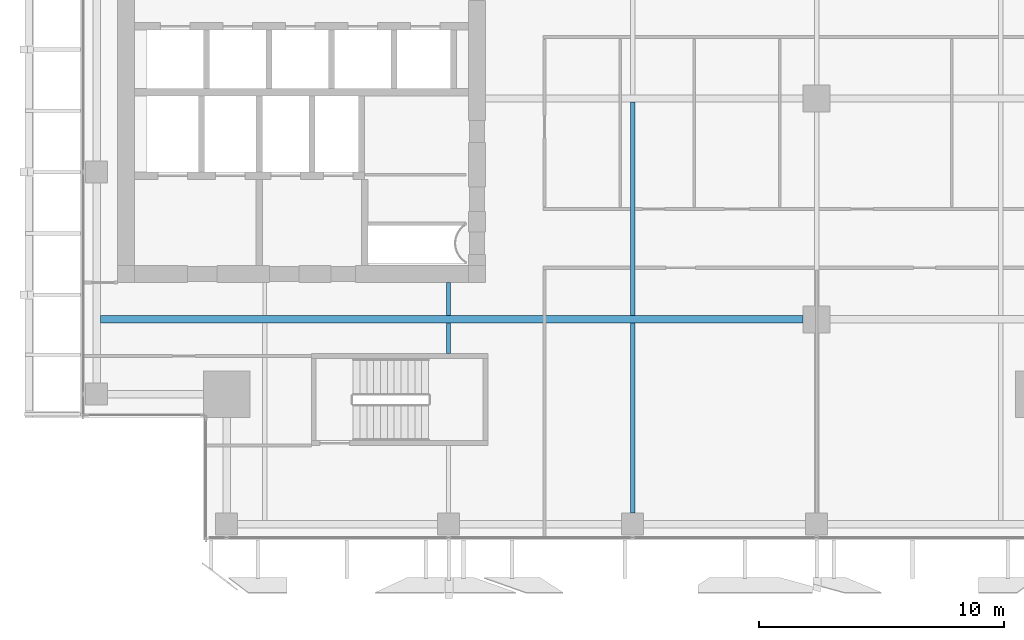
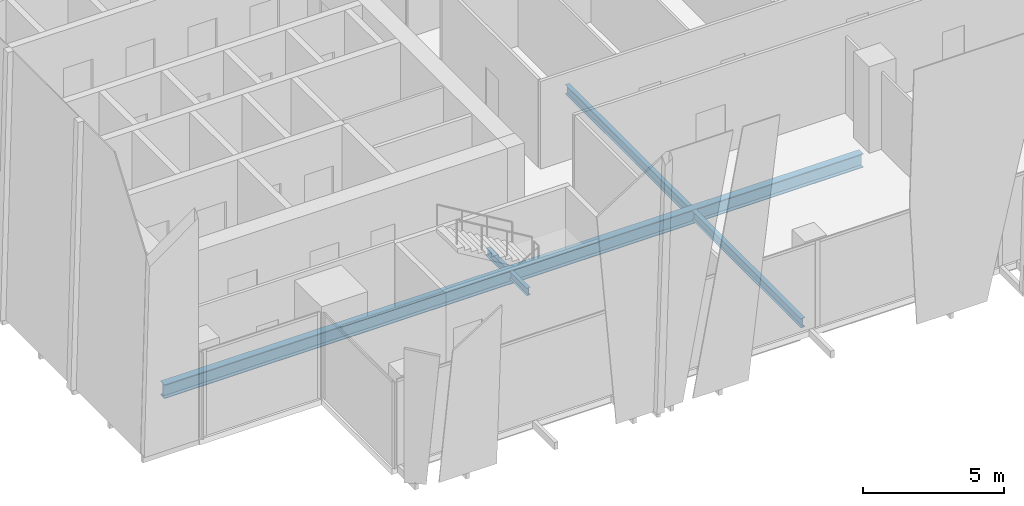
# One storey, part 5 of 33: 5 beams.
"""IFC4 building model written with IfcOpenShell, lengths in metres."""

import ifcopenshell
import ifcopenshell.guid

model = None  # the IFC model being written
_history = None  # IfcOwnerHistory: only IFC2X3 demands one
_inside = {}  # id of a spatial element -> (the spatial element, [elements in it])
_under = {}  # id of a project, library or spatial element -> (it, [spatial elements below it])
_declared = {}  # id of a project -> (the project, [libraries it declares])
_typed = {}  # id of a type object -> (the type object, [elements of that type])
_made_of = {}  # id of a material, layer set ... -> (it, [elements and type objects made of it])


def new_model(schema):
    """Start an empty IFC model of exactly this schema.

    Asked for "IFC4X3", IfcOpenShell would pick the latest addendum, in which some entities
    have other attributes; the version numbers below select the first issue.
    IFC2X3 requires an IfcOwnerHistory on every rooted entity: one is made here for all.
    """
    global model, _history
    if schema == "IFC4X3":
        model = ifcopenshell.file(schema_version=(4, 3, 0, 0))
    else:
        model = ifcopenshell.file(schema=schema)
    _inside.clear()
    _under.clear()
    _declared.clear()
    _typed.clear()
    _made_of.clear()
    _history = None
    if model.schema == "IFC2X3":
        org = make("IfcOrganization", Name="unknown")
        user = make(
            "IfcPersonAndOrganization",
            ThePerson=make("IfcPerson", FamilyName="unknown"),
            TheOrganization=org,
        )
        app = make(
            "IfcApplication",
            ApplicationDeveloper=org,
            Version="unknown",
            ApplicationFullName="unknown",
            ApplicationIdentifier="unknown",
        )
        _history = make(
            "IfcOwnerHistory",
            OwningUser=user,
            OwningApplication=app,
            ChangeAction="ADDED",
            CreationDate=0,
        )
    return model


def make(cls, **values):
    """One entity of the class cls with the attributes given. An attribute that is None is left unset."""
    return model.create_entity(
        cls, **{name: value for name, value in values.items() if value is not None}
    )


def rooted(cls, **values):
    """An entity with a GlobalId (a new one), such as an element, a storey or a relation."""
    return make(cls, GlobalId=ifcopenshell.guid.new(), OwnerHistory=_history, **values)


def si_unit(unit_type, name, prefix=None):
    """IfcSIUnit, for example si_unit("LENGTHUNIT", "METRE", prefix="MILLI")."""
    return make("IfcSIUnit", UnitType=unit_type, Prefix=prefix, Name=name)


def assignment(units):
    """IfcUnitAssignment: the units of a project."""
    return None if units is None else make("IfcUnitAssignment", Units=units)


def point(xyz):
    """IfcCartesianPoint."""
    return None if xyz is None else make("IfcCartesianPoint", Coordinates=xyz)


def direction(xyz):
    """IfcDirection."""
    return None if xyz is None else make("IfcDirection", DirectionRatios=xyz)


def frame(location, z_axis=None, x_axis=None):
    """IfcAxis2Placement3D, a coordinate frame: its origin and axes. An axis left out is left unset."""
    return make(
        "IfcAxis2Placement3D",
        Location=point(location),
        Axis=direction(z_axis),
        RefDirection=direction(x_axis),
    )


def frame_2d(location, x_axis=None):
    """IfcAxis2Placement2D, a coordinate frame in the plane: its origin and x axis."""
    return make(
        "IfcAxis2Placement2D", Location=point(location), RefDirection=direction(x_axis)
    )


def origin():
    """The frame at (0, 0, 0) with its axes left unset."""
    return frame((0.0, 0.0, 0.0))


def origin_2d():
    """The frame at (0, 0) in the plane with its x axis left unset."""
    return frame_2d((0.0, 0.0))


def place(relative_to, where):
    """IfcLocalPlacement: puts the frame where relative to a parent placement (None: the world)."""
    return make(
        "IfcLocalPlacement", PlacementRelTo=relative_to, RelativePlacement=where
    )


def context(
    kind, dimensions, precision=None, world=None, true_north=None, identifier=None
):
    """IfcGeometricRepresentationContext, for example the 3D "Model" context."""
    return make(
        "IfcGeometricRepresentationContext",
        ContextIdentifier=identifier,
        ContextType=kind,
        CoordinateSpaceDimension=dimensions,
        Precision=precision,
        WorldCoordinateSystem=world,
        TrueNorth=true_north,
    )


def subcontext(parent, identifier, kind, view, scale=None):
    """IfcGeometricRepresentationSubContext, for example "Body" below "Model"."""
    return make(
        "IfcGeometricRepresentationSubContext",
        ContextIdentifier=identifier,
        ContextType=kind,
        ParentContext=parent,
        TargetScale=scale,
        TargetView=view,
    )


def project(units=None, contexts=None):
    """IfcProject with its units and contexts."""
    return rooted(
        "IfcProject",
        Name="project",
        RepresentationContexts=contexts,
        UnitsInContext=assignment(units),
    )


def spatial(cls, under=None, at=None, **own):
    """A site, building, storey or space (cls), placed at a placement, below another one or the project."""
    s = rooted(cls, ObjectPlacement=at, **own)
    if under is not None:
        _under.setdefault(under.id(), (under, []))[1].append(s)
    return s


def profile(cls, at=None, kind="AREA", **sizes):
    """A parametric profile (cls). Its sizes go by their IFC names, for example OverallWidth=200.0."""
    return make(cls, ProfileType=kind, Position=at, **sizes)


def i_section(**sizes):
    """IfcIShapeProfileDef."""
    return profile("IfcIShapeProfileDef", **sizes)


def extrude(swept, where, along, depth):
    """IfcExtrudedAreaSolid: the profile swept, set in the frame where, extruded along a direction by depth."""
    return make(
        "IfcExtrudedAreaSolid",
        SweptArea=swept,
        Position=where,
        ExtrudedDirection=direction(along),
        Depth=depth,
    )


def shape(context_of_items, identifier, shape_type, items):
    """IfcShapeRepresentation: the items that make up one representation, for example the "Body"."""
    return make(
        "IfcShapeRepresentation",
        ContextOfItems=context_of_items,
        RepresentationIdentifier=identifier,
        RepresentationType=shape_type,
        Items=items,
    )


def source(mapping_origin, context_of_items, identifier, shape_type, items):
    """IfcRepresentationMap: a shape defined once, which mapped items show again and again."""
    return make(
        "IfcRepresentationMap",
        MappingOrigin=mapping_origin,
        MappedRepresentation=shape(context_of_items, identifier, shape_type, items),
    )


def transform(
    local_origin,
    x_axis=None,
    y_axis=None,
    z_axis=None,
    scale=None,
    scale2=None,
    scale3=None,
    uniform=True,
):
    """IfcCartesianTransformationOperator3D, or its non-uniform kind. x_axis, y_axis, z_axis: its Axis1, 2, 3."""
    if uniform:
        return make(
            "IfcCartesianTransformationOperator3D",
            Axis1=direction(x_axis),
            Axis2=direction(y_axis),
            LocalOrigin=point(local_origin),
            Scale=scale,
            Axis3=direction(z_axis),
        )
    return make(
        "IfcCartesianTransformationOperator3DnonUniform",
        Axis1=direction(x_axis),
        Axis2=direction(y_axis),
        LocalOrigin=point(local_origin),
        Scale=scale,
        Axis3=direction(z_axis),
        Scale2=scale2,
        Scale3=scale3,
    )


def mapped(mapping_source, mapping_target):
    """IfcMappedItem: shows the shape of a source again, moved by a transform."""
    return make(
        "IfcMappedItem", MappingSource=mapping_source, MappingTarget=mapping_target
    )


def material(Name=None, Category=None):
    """IfcMaterial."""
    return make("IfcMaterial", Name=Name, Category=Category)


def material_profile(
    of_material, cross_section, Name=None, Category=None, Priority=None
):
    """IfcMaterialProfile: a cross section and its material."""
    return make(
        "IfcMaterialProfile",
        Name=Name,
        Material=of_material,
        Profile=cross_section,
        Priority=Priority,
        Category=Category,
    )


def profile_set(profiles, Name=None, composite=None):
    """IfcMaterialProfileSet."""
    return make(
        "IfcMaterialProfileSet",
        Name=Name,
        MaterialProfiles=profiles,
        CompositeProfile=composite,
    )


def made_of(thing, what):
    """Note that an element or type object is made of a material, layer set ...; save() writes the relation."""
    if what is not None:
        _made_of.setdefault(what.id(), (what, []))[1].append(thing)
    return thing


def type_object(cls, material=None, **own):
    """A type object (cls), such as IfcWallType, which elements share."""
    return made_of(rooted(cls, **own), material)


def element(
    cls,
    number,
    at=None,
    inside=None,
    cuts=None,
    type_object=None,
    material=None,
    context=None,
    identifier="Body",
    shape_type=None,
    held_by="IfcProductDefinitionShape",
    body=None,
    shapes=None,
    **own,
):
    """One element of the class cls, such as IfcWall. Its Tag is "e" and its number.

    at: its placement. inside: the storey or other place that contains it. cuts: it is an
    opening in that element (IfcRelVoidsElement). A single representation is given by context,
    identifier, shape_type and body (its items); several are given by shapes. held_by: the class
    of the entity that holds the representations. save() writes the other relations.
    """
    e = rooted(cls, Tag="e%d" % number, ObjectPlacement=at, **own)
    if body is not None:
        shapes = [shape(context, identifier, shape_type, body)]
    if shapes is not None:
        e.Representation = make(held_by, Representations=shapes)
    if inside is not None:
        _inside.setdefault(inside.id(), (inside, []))[1].append(e)
    if cuts is not None:
        rooted(
            "IfcRelVoidsElement", RelatingBuildingElement=cuts, RelatedOpeningElement=e
        )
    if type_object is not None:
        _typed.setdefault(type_object.id(), (type_object, []))[1].append(e)
    return made_of(e, material)


def aggregate(whole, parts):
    """IfcRelAggregates: a whole, such as a stair, and the parts it consists of."""
    return rooted("IfcRelAggregates", RelatingObject=whole, RelatedObjects=parts)


def save(model, path):
    """Write the relations noted so far, then the file.

    IfcRelAggregates (storeys below a building ...), IfcRelContainedInSpatialStructure (elements
    in a storey), IfcRelDefinesByType, IfcRelAssociatesMaterial and IfcRelDeclares: one each for
    every whole, place, type object, material and project.
    """
    for whole, parts in _under.values():
        aggregate(whole, parts)
    for where, things in _inside.values():
        rooted(
            "IfcRelContainedInSpatialStructure",
            RelatedElements=things,
            RelatingStructure=where,
        )
    for kind, things in _typed.values():
        rooted("IfcRelDefinesByType", RelatedObjects=things, RelatingType=kind)
    for what, things in _made_of.values():
        rooted("IfcRelAssociatesMaterial", RelatedObjects=things, RelatingMaterial=what)
    for by, libraries in _declared.values():
        rooted("IfcRelDeclares", RelatingContext=by, RelatedDefinitions=libraries)
    model.write(path)


model = new_model("IFC4")

# Units and contexts
model_context = context("Model", 3, precision=1e-05, world=origin(), true_north=direction((0.0, 1.0)))
body_context = subcontext(model_context, "Body", "Model", "MODEL_VIEW")
ifc_project = project(units=[si_unit("LENGTHUNIT", "METRE"), si_unit("AREAUNIT", "SQUARE_METRE"), si_unit("VOLUMEUNIT", "CUBIC_METRE"), si_unit("PLANEANGLEUNIT", "RADIAN"), si_unit("MASSUNIT", "GRAM", prefix="KILO")], contexts=[model_context])

# Site, building, storey
site_placement = place(None, origin())
site = spatial("IfcSite", under=ifc_project, at=site_placement, CompositionType="ELEMENT")
building_placement = place(site_placement, origin())
building = spatial("IfcBuilding", under=site, at=building_placement, Name="Khomas Fold Tower", CompositionType="ELEMENT")
storey_placement = place(building_placement, frame((0.0, 0.0, 234.199951171875)))
storey = spatial("IfcBuildingStorey", under=building, at=storey_placement, Name="L52", CompositionType="ELEMENT", Elevation=234.199951171875)

# Beams
ifc_material_1 = material(Name="Steel S355", Category="steel")
ifc_material_profile_1 = material_profile(ifc_material_1, i_section(OverallWidth=0.179931640625, OverallDepth=0.39990234375, WebThickness=0.008544921875, FlangeThickness=0.013427734375, at=origin_2d()), Name="IPE 400")
ifc_profile_set_1 = profile_set([ifc_material_profile_1], Name="Steel S355")
beam_type_1 = type_object("IfcBeamType", Name="IPE 400 beam JB3", PredefinedType="BEAM", material=ifc_profile_set_1)
shared_shape_1 = source(origin(), body_context, "Body", "SweptSolid", [
    extrude(i_section(OverallWidth=0.179931640625, OverallDepth=0.39990234375, WebThickness=0.008544921875, FlangeThickness=0.013427734375, at=origin_2d()), origin(), (0.0, 0.0, 1.0), 8.7001953125),
])
beam_1_placement = place(storey_placement, frame((27.0, 13.64990234375, -0.449951171875), z_axis=(0.0, 1.0, 0.0), x_axis=(-1.0, 0.0, 0.0)))
element("IfcBeam", 1, at=beam_1_placement, inside=storey, type_object=beam_type_1, Name="JB3", PredefinedType="BEAM", context=body_context, shape_type="MappedRepresentation", body=[
    mapped(shared_shape_1, transform((0.0, 0.0, 0.0))),
])
ifc_material_2 = material(Name="Steel S355", Category="steel")
ifc_material_profile_2 = material_profile(ifc_material_2, i_section(OverallWidth=0.159912109375, OverallDepth=0.330078125, WebThickness=0.007568359375, FlangeThickness=0.011474609375, at=origin_2d()), Name="IPE 330")
ifc_profile_set_2 = profile_set([ifc_material_profile_2], Name="Steel S355")
beam_type_2 = type_object("IfcBeamType", Name="IPE 330 beam JB1", PredefinedType="BEAM", material=ifc_profile_set_2)
shared_shape_2 = source(origin(), body_context, "Body", "SweptSolid", [
    extrude(i_section(OverallWidth=0.159912109375, OverallDepth=0.330078125, WebThickness=0.007568359375, FlangeThickness=0.011474609375, at=origin_2d()), origin(), (0.0, 0.0, 1.0), 1.25),
])
beam_2_placement = place(storey_placement, frame((19.5, 12.10009765625, -0.4150390625), z_axis=(0.0, 1.0, 0.0), x_axis=(-1.0, 0.0, 0.0)))
element("IfcBeam", 2, at=beam_2_placement, inside=storey, type_object=beam_type_2, Name="JB1", PredefinedType="BEAM", context=body_context, shape_type="MappedRepresentation", body=[
    mapped(shared_shape_2, transform((0.0, 0.0, 0.0))),
])
shared_shape_3 = source(origin(), body_context, "Body", "SweptSolid", [
    extrude(i_section(OverallWidth=0.159912109375, OverallDepth=0.330078125, WebThickness=0.007568359375, FlangeThickness=0.011474609375, at=origin_2d()), origin(), (0.0, 0.0, 1.0), 1.35009765625),
])
beam_3_placement = place(storey_placement, frame((19.5, 13.64990234375, -0.4150390625), z_axis=(0.0, 1.0, 0.0), x_axis=(-1.0, 0.0, 0.0)))
element("IfcBeam", 3, at=beam_3_placement, inside=storey, type_object=beam_type_2, Name="JB1", PredefinedType="BEAM", context=body_context, shape_type="MappedRepresentation", body=[
    mapped(shared_shape_3, transform((0.0, 0.0, 0.0))),
])
ifc_material_3 = material(Name="Steel S355", Category="steel")
ifc_material_profile_3 = material_profile(ifc_material_3, i_section(OverallWidth=0.300048828125, OverallDepth=0.60009765625, WebThickness=0.015380859375, FlangeThickness=0.030029296875, at=origin_2d()), Name="HE 600 B")
ifc_profile_set_3 = profile_set([ifc_material_profile_3], Name="Steel S355")
beam_type_3 = type_object("IfcBeamType", Name="HE 600 B beam GB5", PredefinedType="BEAM", material=ifc_profile_set_3)
shared_shape_4 = source(origin(), body_context, "Body", "SweptSolid", [
    extrude(i_section(OverallWidth=0.300048828125, OverallDepth=0.60009765625, WebThickness=0.015380859375, FlangeThickness=0.030029296875, at=origin_2d()), origin(), (0.0, 0.0, 1.0), 28.64990234375),
])
beam_4_placement = place(storey_placement, frame((5.300048828125, 13.5, -0.550048828125), z_axis=(1.0, 0.0, 0.0), x_axis=(0.0, 1.0, 0.0)))
element("IfcBeam", 4, at=beam_4_placement, inside=storey, type_object=beam_type_3, Name="GB5", PredefinedType="BEAM", context=body_context, shape_type="MappedRepresentation", body=[
    mapped(shared_shape_4, transform((0.0, 0.0, 0.0))),
])
shared_shape_5 = source(origin(), body_context, "Body", "SweptSolid", [
    extrude(i_section(OverallWidth=0.179931640625, OverallDepth=0.39990234375, WebThickness=0.008544921875, FlangeThickness=0.013427734375, at=origin_2d()), origin(), (0.0, 0.0, 1.0), 7.75),
])
beam_5_placement = place(storey_placement, frame((27.0, 5.60009765625, -0.449951171875), z_axis=(0.0, 1.0, 0.0), x_axis=(-1.0, 0.0, 0.0)))
element("IfcBeam", 5, at=beam_5_placement, inside=storey, type_object=beam_type_1, Name="JB3", PredefinedType="BEAM", context=body_context, shape_type="MappedRepresentation", body=[
    mapped(shared_shape_5, transform((0.0, 0.0, 0.0))),
])

save(model, "model.ifc")
